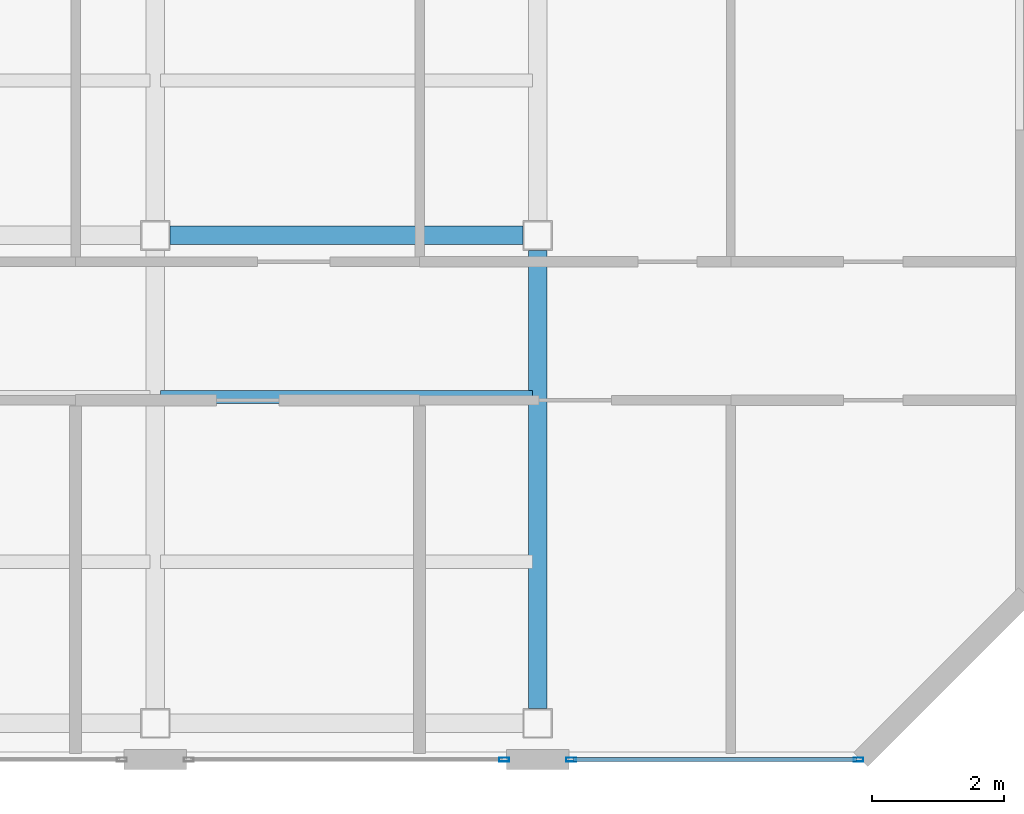
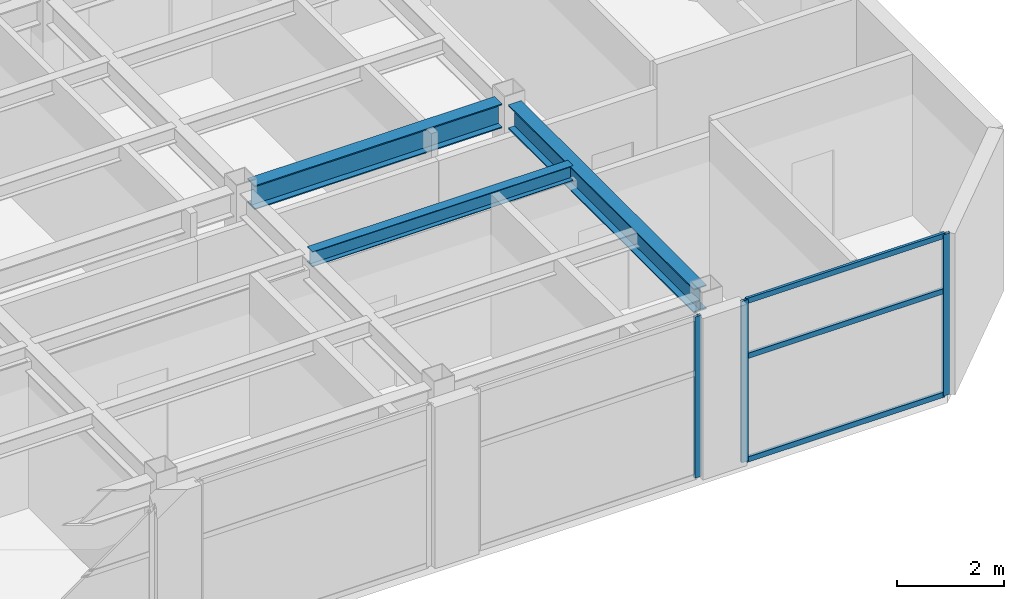
# One storey, part 7 of 15: 6 members, 3 beams, 2 elements without a shape of their own.
"""IFC4 building model written with IfcOpenShell, lengths in metres."""

from ifc_helpers import new_model, si_unit, direction, frame, origin, origin_2d, place, context, subcontext, project, spatial, hollow_rectangle, i_section, extrude, material, layer, layer_set, material_profile, profile_set, type_object, element, aggregate, save


model = new_model("IFC4")

# Units and contexts
model_context = context("Model", 3, precision=1e-05, world=origin(), true_north=direction((0.0, 1.0)))
body_context = subcontext(model_context, "Body", "Model", "MODEL_VIEW")
ifc_project = project(units=[si_unit("LENGTHUNIT", "METRE"), si_unit("AREAUNIT", "SQUARE_METRE"), si_unit("VOLUMEUNIT", "CUBIC_METRE"), si_unit("PLANEANGLEUNIT", "RADIAN"), si_unit("MASSUNIT", "GRAM", prefix="KILO")], contexts=[model_context])

# Site, building, storey
site_placement = place(None, origin())
site = spatial("IfcSite", under=ifc_project, at=site_placement, CompositionType="ELEMENT")
building_placement = place(site_placement, origin())
building = spatial("IfcBuilding", under=site, at=building_placement, Name="Mawjaban Terraces University", CompositionType="ELEMENT")
storey_placement = place(building_placement, frame((0.0, 0.0, 207.0)))
storey = spatial("IfcBuildingStorey", under=building, at=storey_placement, Name="L50", CompositionType="ELEMENT", Elevation=207.0)

# Beams
ifc_material_1 = material(Name="Steel ASTM A572 Grade 50", Category="steel")
ifc_material_profile_1 = material_profile(ifc_material_1, i_section(OverallWidth=0.281005859375, OverallDepth=0.551025390625, WebThickness=0.01513671875, FlangeThickness=0.02587890625, at=origin_2d()), Name="W530X182")
ifc_profile_set_1 = profile_set([ifc_material_profile_1], Name="Steel ASTM A572 Grade 50")
beam_type_1 = type_object("IfcBeamType", Name="Beam_B_W530X182", PredefinedType="BEAM", material=ifc_profile_set_1)
beam_1_placement = place(storey_placement, frame((52.22509765625, 7.949951171875, 3.4150390625), z_axis=(1.0, 0.0, 0.0), x_axis=(0.0, 1.0, 0.0)))
element("IfcBeam", 1, at=beam_1_placement, inside=storey, type_object=beam_type_1, Name="L50 Beam BM-L50-EW-06", PredefinedType="BEAM", context=body_context, shape_type="SweptSolid", body=[
    extrude(i_section(OverallWidth=0.281005859375, OverallDepth=0.551025390625, WebThickness=0.01513671875, FlangeThickness=0.02587890625, at=origin_2d()), origin(), (0.0, 0.0, 1.0), 5.349853515625),
])
beam_2_placement = place(storey_placement, frame((57.800048828125, 0.77490234375, 3.4150390625), z_axis=(0.0, 1.0, 0.0), x_axis=(-1.0, 0.0, 0.0)))
element("IfcBeam", 2, at=beam_2_placement, inside=storey, type_object=beam_type_1, Name="L50 Beam BM-L50-NS-14", PredefinedType="BEAM", context=body_context, shape_type="SweptSolid", body=[
    extrude(i_section(OverallWidth=0.281005859375, OverallDepth=0.551025390625, WebThickness=0.01513671875, FlangeThickness=0.02587890625, at=origin_2d()), origin(), (0.0, 0.0, 1.0), 6.9501953125),
])
ifc_material_profile_2 = material_profile(ifc_material_1, i_section(OverallWidth=0.202880859375, OverallDepth=0.346923828125, WebThickness=0.0078125, FlangeThickness=0.013427734375, at=origin_2d()), Name="W360X64")
ifc_profile_set_2 = profile_set([ifc_material_profile_2], Name="Steel ASTM A572 Grade 50")
beam_type_2 = type_object("IfcBeamType", Name="Beam_J_W360X64", PredefinedType="JOIST", material=ifc_profile_set_2)
beam_3_placement = place(storey_placement, frame((52.080078125, 5.5, 3.51708984375), z_axis=(1.0, 0.0, 0.0), x_axis=(0.0, 1.0, 0.0)))
element("IfcBeam", 3, at=beam_3_placement, inside=storey, type_object=beam_type_2, Name="L50 Composite Joist JST-L50-06", PredefinedType="JOIST", context=body_context, shape_type="SweptSolid", body=[
    extrude(i_section(OverallWidth=0.202880859375, OverallDepth=0.346923828125, WebThickness=0.0078125, FlangeThickness=0.013427734375, at=origin_2d()), origin(), (0.0, 0.0, 1.0), 5.639892578125),
])

# Curtain wall, member
ifc_material_2 = material(Name="Anodised aluminium 6063-T6 and solar-control low-E glass", Category="aluminium")
ifc_layer = layer(ifc_material_2, 0.159912109375)
ifc_layer_set = layer_set([ifc_layer], Name="Anodised aluminium 6063-T6 and solar-control low-E glass")
curtain_wall_type = type_object("IfcCurtainWallType", Name="CWSystem_03_NorthWing", PredefinedType="NOTDEFINED", material=ifc_layer_set)
curtain_wall_1_placement = place(storey_placement, origin())
curtain_wall_1 = element("IfcCurtainWall", 4, at=curtain_wall_1_placement, inside=storey, type_object=curtain_wall_type, Name="L50 Curtain Wall CW-03 Run 1.4", PredefinedType="NOTDEFINED")
ifc_material_3 = material(Name="Anodised aluminium 6063-T6", Category="aluminium")
ifc_material_profile_3 = material_profile(ifc_material_3, hollow_rectangle(XDim=0.06005859375, YDim=0.14990234375, WallThickness=0.00390625, at=origin_2d()), Name="ALU150X60X4")
ifc_profile_set_3 = profile_set([ifc_material_profile_3], Name="Anodised aluminium 6063-T6")
member_type_1 = type_object("IfcMemberType", Name="Mullion_CW-03", PredefinedType="MULLION", material=ifc_profile_set_3)
member_1_placement = place(storey_placement, frame((57.29248046875, 0.0, 0.0), z_axis=(0.0, 0.0, 1.0), x_axis=(0.0, 1.0, 0.0)))
member_1 = element("IfcMember", 5, at=member_1_placement, type_object=member_type_1, Name="CW-03 mullion 2", PredefinedType="MULLION", context=body_context, shape_type="SweptSolid", body=[
    extrude(hollow_rectangle(XDim=0.06005859375, YDim=0.14990234375, WallThickness=0.00390625, at=origin_2d()), origin(), (0.0, 0.0, 1.0), 3.68994140625),
])
aggregate(curtain_wall_1, [member_1])

# Curtain wall, members
curtain_wall_2_placement = place(storey_placement, origin())
curtain_wall_2 = element("IfcCurtainWall", 6, at=curtain_wall_2_placement, inside=storey, type_object=curtain_wall_type, Name="L50 Curtain Wall CW-03 Run 1.5", PredefinedType="NOTDEFINED")
member_2_placement = place(storey_placement, frame((58.3076171875, 0.0, 0.0), z_axis=(0.0, 0.0, 1.0), x_axis=(0.0, 1.0, 0.0)))
member_2 = element("IfcMember", 7, at=member_2_placement, type_object=member_type_1, Name="CW-03 mullion 1", PredefinedType="MULLION", context=body_context, shape_type="SweptSolid", body=[
    extrude(hollow_rectangle(XDim=0.06005859375, YDim=0.14990234375, WallThickness=0.00390625, at=origin_2d()), origin(), (0.0, 0.0, 1.0), 3.68994140625),
])
member_3_placement = place(storey_placement, frame((62.66748046875, 0.0, 0.0), z_axis=(0.0, 0.0, 1.0), x_axis=(0.0, 1.0, 0.0)))
member_3 = element("IfcMember", 8, at=member_3_placement, type_object=member_type_1, Name="CW-03 mullion 2", PredefinedType="MULLION", context=body_context, shape_type="SweptSolid", body=[
    extrude(hollow_rectangle(XDim=0.06005859375, YDim=0.14990234375, WallThickness=0.00390625, at=origin_2d()), origin(), (0.0, 0.0, 1.0), 3.68994140625),
])
ifc_material_profile_4 = material_profile(ifc_material_3, hollow_rectangle(XDim=0.06005859375, YDim=0.1201171875, WallThickness=0.00341796875, at=origin_2d()), Name="ALU120X60X3.5")
ifc_profile_set_4 = profile_set([ifc_material_profile_4], Name="Anodised aluminium 6063-T6")
member_type_2 = type_object("IfcMemberType", Name="Transom_CW-03", PredefinedType="NOTDEFINED", material=ifc_profile_set_4)
member_4_placement = place(storey_placement, frame((58.340087890625, 0.0, 0.030029296875), z_axis=(1.0, 0.0, 0.0), x_axis=(0.0, 1.0, 0.0)))
member_4 = element("IfcMember", 9, at=member_4_placement, type_object=member_type_2, Name="CW-03 transom 1.1", ObjectType="TRANSOM", PredefinedType="USERDEFINED", context=body_context, shape_type="SweptSolid", body=[
    extrude(hollow_rectangle(XDim=0.06005859375, YDim=0.1201171875, WallThickness=0.00341796875, at=origin_2d()), origin(), (0.0, 0.0, 1.0), 4.294921875),
])
member_5_placement = place(storey_placement, frame((58.340087890625, 0.0, 2.39892578125), z_axis=(1.0, 0.0, 0.0), x_axis=(0.0, 1.0, 0.0)))
member_5 = element("IfcMember", 10, at=member_5_placement, type_object=member_type_2, Name="CW-03 transom 1.2", ObjectType="TRANSOM", PredefinedType="USERDEFINED", context=body_context, shape_type="SweptSolid", body=[
    extrude(hollow_rectangle(XDim=0.06005859375, YDim=0.1201171875, WallThickness=0.00341796875, at=origin_2d()), origin(), (0.0, 0.0, 1.0), 4.294921875),
])
member_6_placement = place(storey_placement, frame((58.340087890625, 0.0, 3.659912109375), z_axis=(1.0, 0.0, 0.0), x_axis=(0.0, 1.0, 0.0)))
member_6 = element("IfcMember", 11, at=member_6_placement, type_object=member_type_2, Name="CW-03 transom 1.3", ObjectType="TRANSOM", PredefinedType="USERDEFINED", context=body_context, shape_type="SweptSolid", body=[
    extrude(hollow_rectangle(XDim=0.06005859375, YDim=0.1201171875, WallThickness=0.00341796875, at=origin_2d()), origin(), (0.0, 0.0, 1.0), 4.294921875),
])
aggregate(curtain_wall_2, [member_2, member_3, member_4, member_5, member_6])

save(model, "model.ifc")
